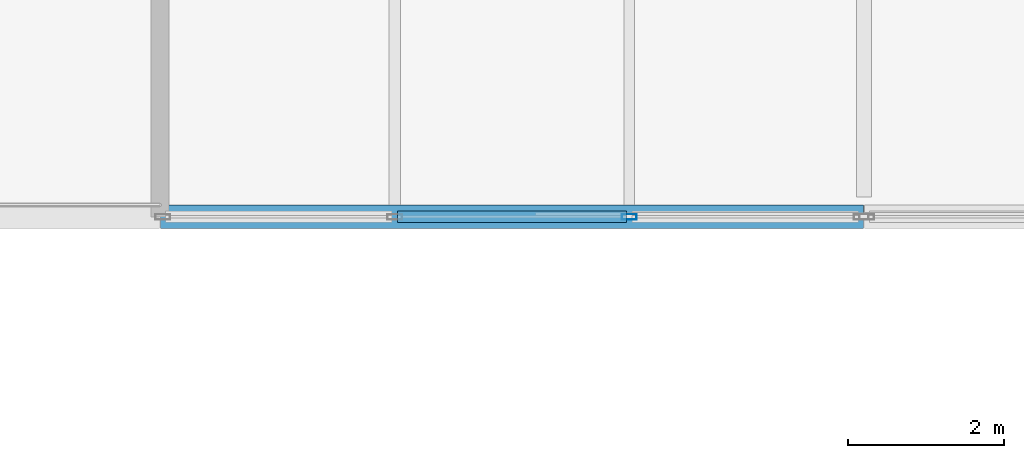
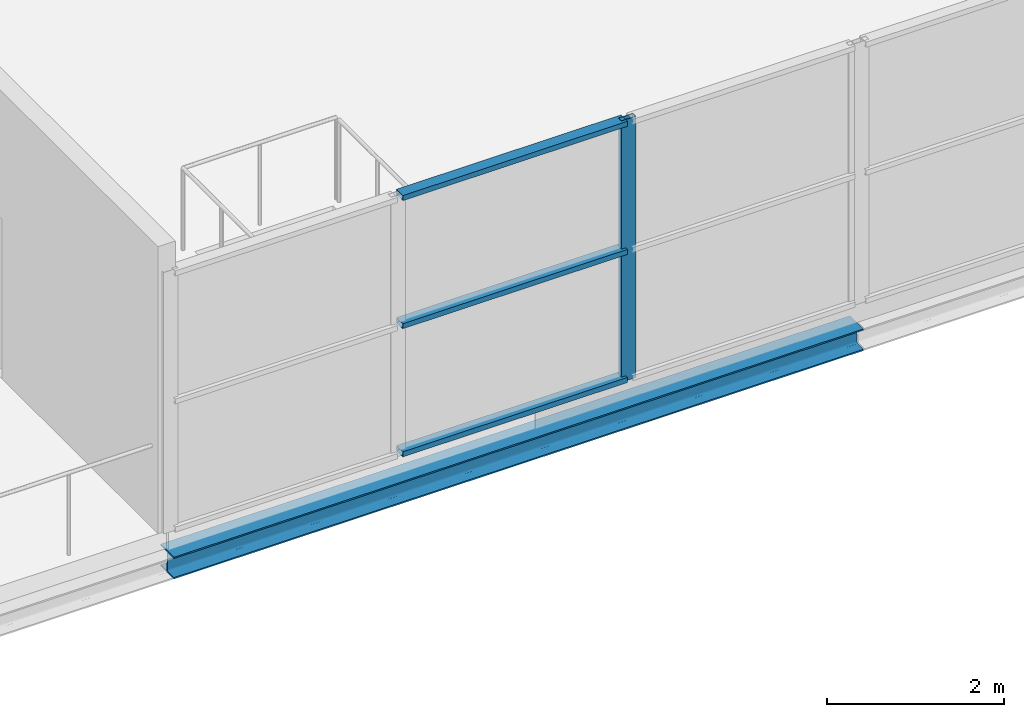
# One storey, part 18 of 88: 4 members, 1 beam, 1 element without a shape of its own.
"""IFC4 building model written with IfcOpenShell, lengths in metres."""

from ifc_helpers import new_model, si_unit, direction, frame, origin, origin_2d, place, context, subcontext, project, spatial, hollow_rectangle, i_section, extrude, material, layer, layer_set, material_profile, profile_set, type_object, element, aggregate, save


model = new_model("IFC4")

# Units and contexts
model_context = context("Model", 3, precision=1e-05, world=origin(), true_north=direction((0.0, 1.0)))
body_context = subcontext(model_context, "Body", "Model", "MODEL_VIEW")
ifc_project = project(units=[si_unit("LENGTHUNIT", "METRE"), si_unit("AREAUNIT", "SQUARE_METRE"), si_unit("VOLUMEUNIT", "CUBIC_METRE"), si_unit("PLANEANGLEUNIT", "RADIAN"), si_unit("MASSUNIT", "GRAM", prefix="KILO")], contexts=[model_context])

# Site, building, storey
site_placement = place(None, origin())
site = spatial("IfcSite", under=ifc_project, at=site_placement, CompositionType="ELEMENT")
building_placement = place(site_placement, origin())
building = spatial("IfcBuilding", under=site, at=building_placement, Name="Deido Ridge Mobility Hub", CompositionType="ELEMENT")
storey_placement = place(building_placement, frame((0.0, 0.0, 16.800048828125)))
storey = spatial("IfcBuildingStorey", under=building, at=storey_placement, Name="L04", CompositionType="ELEMENT", Elevation=16.800048828125)

# Curtain wall, members
ifc_material_1 = material(Name="Anodised aluminium EN AW-6063 T6", Category="aluminium")
ifc_layer = layer(ifc_material_1, 0.22509765625, Name="Anodised aluminium EN AW-6063 T6")
ifc_layer_set = layer_set([ifc_layer], Name="Anodised aluminium EN AW-6063 T6")
curtain_wall_type = type_object("IfcCurtainWallType", Name="CW-UF-5", PredefinedType="USERDEFINED", material=ifc_layer_set)
curtain_wall_placement = place(storey_placement, origin())
curtain_wall = element("IfcCurtainWall", 1, at=curtain_wall_placement, inside=storey, type_object=curtain_wall_type, Name="Unitised curtain wall CW5", ObjectType="UNITISED FACADE", PredefinedType="USERDEFINED")
ifc_material_profile_1 = material_profile(ifc_material_1, hollow_rectangle(XDim=0.070068359375, YDim=0.18994140625, WallThickness=0.00390625, at=origin_2d()), Name="RHS 70x190x4")
ifc_profile_set_1 = profile_set([ifc_material_profile_1], Name="Anodised aluminium EN AW-6063 T6")
member_type_1 = type_object("IfcMemberType", Name="MEM-MUL-70X190", PredefinedType="MULLION", material=ifc_profile_set_1)
member_1_placement = place(storey_placement, frame((78.0, 36.0, 0.0), z_axis=(0.0, 0.0, 1.0), x_axis=(0.0, 1.0, 0.0)))
member_1 = element("IfcMember", 2, at=member_1_placement, type_object=member_type_1, Name="CW5 mullion 3", PredefinedType="MULLION", context=body_context, shape_type="SweptSolid", body=[
    extrude(hollow_rectangle(XDim=0.070068359375, YDim=0.18994140625, WallThickness=0.00390625, at=origin_2d()), origin(), (0.0, 0.0, 1.0), 3.599853515625),
])
ifc_material_profile_2 = material_profile(ifc_material_1, hollow_rectangle(XDim=0.14501953125, YDim=0.070068359375, WallThickness=0.00390625, at=origin_2d()), Name="RHS 145x70x4")
ifc_profile_set_2 = profile_set([ifc_material_profile_2], Name="Anodised aluminium EN AW-6063 T6")
member_type_2 = type_object("IfcMemberType", Name="MEM-TRN-145X70", PredefinedType="USERDEFINED", material=ifc_profile_set_2)
member_2_placement = place(storey_placement, frame((75.034912109375, 36.0, 0.034912109375), z_axis=(1.0, 0.0, 0.0), x_axis=(0.0, 1.0, 0.0)))
member_2 = element("IfcMember", 3, at=member_2_placement, type_object=member_type_2, Name="CW5 transom 2.1", ObjectType="TRANSOM", PredefinedType="USERDEFINED", context=body_context, shape_type="SweptSolid", body=[
    extrude(hollow_rectangle(XDim=0.14501953125, YDim=0.070068359375, WallThickness=0.00390625, at=origin_2d()), origin(), (0.0, 0.0, 1.0), 2.93017578125),
])
member_3_placement = place(storey_placement, frame((75.034912109375, 36.0, 1.800048828125), z_axis=(1.0, 0.0, 0.0), x_axis=(0.0, 1.0, 0.0)))
member_3 = element("IfcMember", 4, at=member_3_placement, type_object=member_type_2, Name="CW5 transom 2.2", ObjectType="TRANSOM", PredefinedType="USERDEFINED", context=body_context, shape_type="SweptSolid", body=[
    extrude(hollow_rectangle(XDim=0.14501953125, YDim=0.070068359375, WallThickness=0.00390625, at=origin_2d()), origin(), (0.0, 0.0, 1.0), 2.93017578125),
])
member_4_placement = place(storey_placement, frame((75.034912109375, 36.0, 3.56494140625), z_axis=(1.0, 0.0, 0.0), x_axis=(0.0, 1.0, 0.0)))
member_4 = element("IfcMember", 5, at=member_4_placement, type_object=member_type_2, Name="CW5 transom 2.3", ObjectType="TRANSOM", PredefinedType="USERDEFINED", context=body_context, shape_type="SweptSolid", body=[
    extrude(hollow_rectangle(XDim=0.14501953125, YDim=0.070068359375, WallThickness=0.00390625, at=origin_2d()), origin(), (0.0, 0.0, 1.0), 2.93017578125),
])
aggregate(curtain_wall, [member_1, member_2, member_3, member_4])

# Beam
ifc_material_2 = material(Name="Steel S355J2 EN 10025-2", Category="steel")
ifc_material_profile_3 = material_profile(ifc_material_2, i_section(OverallWidth=0.300048828125, OverallDepth=0.300048828125, WebThickness=0.010986328125, FlangeThickness=0.01904296875, FilletRadius=0.027099609375, at=origin_2d()), Name="HEB 300")
ifc_profile_set_3 = profile_set([ifc_material_profile_3], Name="Steel S355J2 EN 10025-2")
beam_type = type_object("IfcBeamType", Name="SPD-HEB300", PredefinedType="SPANDREL", material=ifc_profile_set_3)
beam_placement = place(storey_placement, frame((72.007080078125, 36.0, -0.425048828125), z_axis=(1.0, 0.0, 0.0), x_axis=(0.0, 1.0, 0.0)))
element("IfcBeam", 6, at=beam_placement, inside=storey, type_object=beam_type, Name="Floor beam SP1", PredefinedType="SPANDREL", context=body_context, shape_type="SweptSolid", body=[
    extrude(i_section(OverallWidth=0.300048828125, OverallDepth=0.300048828125, WebThickness=0.010986328125, FlangeThickness=0.01904296875, FilletRadius=0.027099609375, at=origin_2d()), origin(), (0.0, 0.0, 1.0), 8.98583984375),
])

save(model, "model.ifc")
